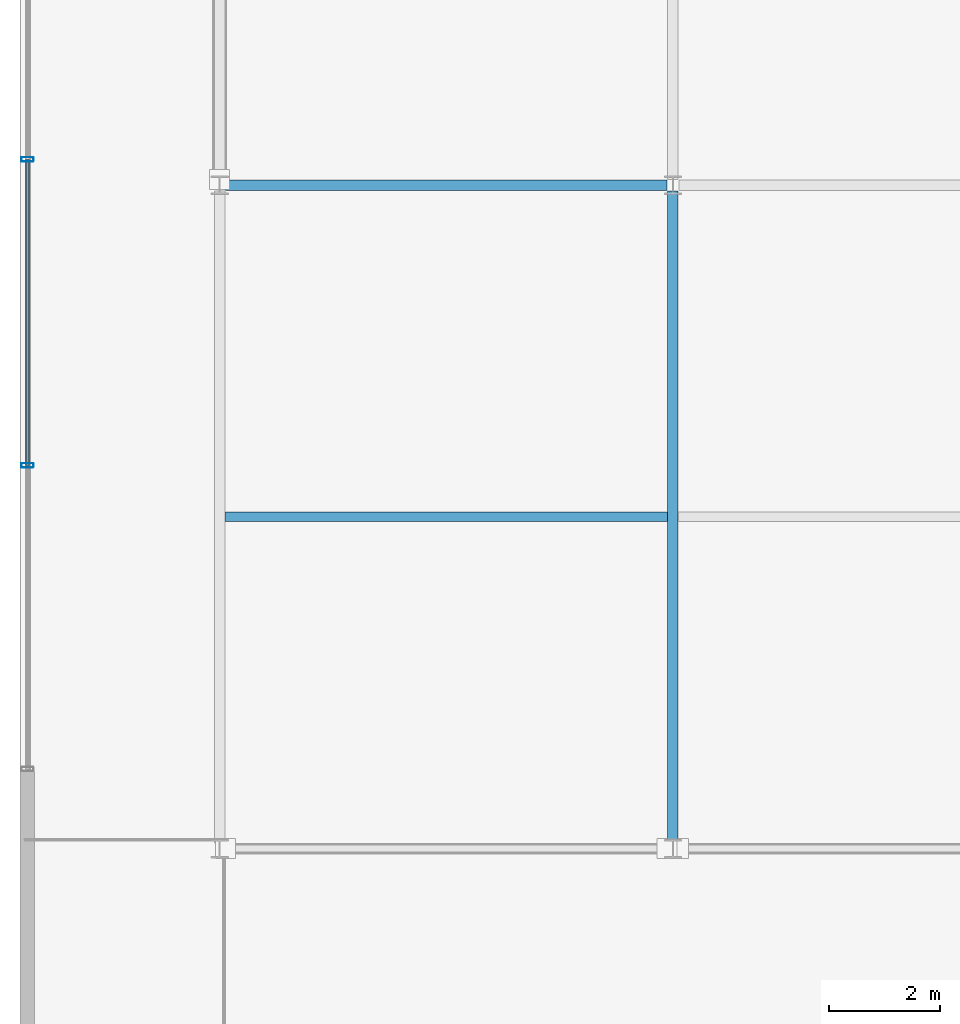
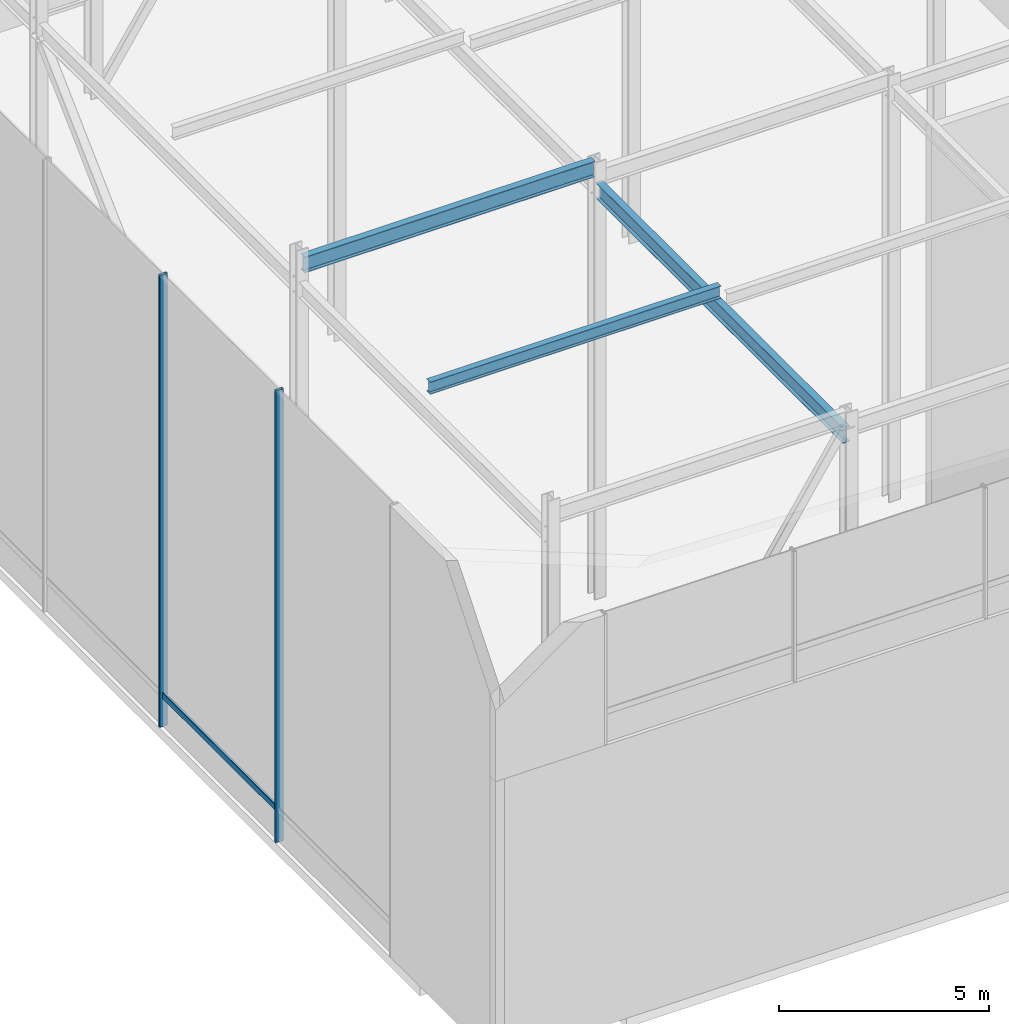
# One storey, part 7 of 39: 3 beams, 3 members, 1 element without a shape of its own.
"""IFC4 building model written with IfcOpenShell, lengths in metres."""

from ifc_helpers import new_model, si_unit, direction, frame, origin, origin_2d, place, context, subcontext, project, spatial, hollow_rectangle, i_section, extrude, material, layer, layer_set, material_profile, profile_set, type_object, element, aggregate, save


model = new_model("IFC4")

# Units and contexts
model_context = context("Model", 3, precision=1e-05, world=origin(), true_north=direction((0.0, 1.0)))
body_context = subcontext(model_context, "Body", "Model", "MODEL_VIEW")
ifc_project = project(units=[si_unit("LENGTHUNIT", "METRE"), si_unit("AREAUNIT", "SQUARE_METRE"), si_unit("VOLUMEUNIT", "CUBIC_METRE"), si_unit("PLANEANGLEUNIT", "RADIAN"), si_unit("MASSUNIT", "GRAM", prefix="KILO")], contexts=[model_context])

# Site, building, storey
site_placement = place(None, origin())
site = spatial("IfcSite", under=ifc_project, at=site_placement, CompositionType="ELEMENT")
building_placement = place(site_placement, origin())
building = spatial("IfcBuilding", under=site, at=building_placement, Name="Korimba Cascade Residences", CompositionType="ELEMENT")
storey_placement = place(building_placement, frame((0.0, 0.0, 264.199951171875)))
storey = spatial("IfcBuildingStorey", under=building, at=storey_placement, Name="RF", CompositionType="ELEMENT", Elevation=264.199951171875)

# Beams
ifc_material_1 = material(Name="Steel S355", Category="steel")
ifc_material_profile_1 = material_profile(ifc_material_1, i_section(OverallWidth=0.172119140625, OverallDepth=0.35791015625, WebThickness=0.008056640625, FlangeThickness=0.012939453125, FilletRadius=0.01025390625, at=origin_2d()), Name="Steel S355")
ifc_profile_set_1 = profile_set([ifc_material_profile_1], Name="Steel S355")
beam_type_1 = type_object("IfcBeamType", Name="BM-STL-UB356", PredefinedType="JOIST", material=ifc_profile_set_1)
beam_1_placement = place(storey_placement, frame((59.89990234375, 61.199951171875, 12.53271484375), z_axis=(1.0, 0.0, 0.0), x_axis=(0.0, 1.0, 0.0)))
element("IfcBeam", 1, at=beam_1_placement, inside=storey, type_object=beam_type_1, Name="RF Crown Cap Joist W1.1", PredefinedType="JOIST", context=body_context, shape_type="SweptSolid", body=[
    extrude(i_section(OverallWidth=0.172119140625, OverallDepth=0.35791015625, WebThickness=0.008056640625, FlangeThickness=0.012939453125, FilletRadius=0.01025390625, at=origin_2d()), origin(), (0.0, 0.0, 1.0), 8.0),
])
ifc_material_profile_2 = material_profile(ifc_material_1, i_section(OverallWidth=0.19140625, OverallDepth=0.4599609375, WebThickness=0.010009765625, FlangeThickness=0.01611328125, FilletRadius=0.01025390625, at=origin_2d()), Name="Steel S355")
ifc_profile_set_2 = profile_set([ifc_material_profile_2], Name="Steel S355")
beam_type_2 = type_object("IfcBeamType", Name="BM-STL-UB457", PredefinedType="JOIST", material=ifc_profile_set_2)
beam_2_placement = place(storey_placement, frame((59.905029296875, 67.199951171875, 12.481689453125), z_axis=(1.0, 0.0, 0.0), x_axis=(0.0, 1.0, 0.0)))
element("IfcBeam", 2, at=beam_2_placement, inside=storey, type_object=beam_type_2, Name="RF Crown Cap Ring Beam W2.1", PredefinedType="JOIST", context=body_context, shape_type="SweptSolid", body=[
    extrude(i_section(OverallWidth=0.19140625, OverallDepth=0.4599609375, WebThickness=0.010009765625, FlangeThickness=0.01611328125, FilletRadius=0.01025390625, at=origin_2d()), origin(), (0.0, 0.0, 1.0), 7.989990234375),
])
beam_3_placement = place(storey_placement, frame((68.0, 55.304931640625, 11.86865234375), z_axis=(0.0, 1.0, 0.0), x_axis=(-1.0, 0.0, 0.0)))
element("IfcBeam", 3, at=beam_3_placement, inside=storey, type_object=beam_type_2, Name="RF Crown Cap Tie Beam W2.1", PredefinedType="JOIST", context=body_context, shape_type="SweptSolid", body=[
    extrude(i_section(OverallWidth=0.19140625, OverallDepth=0.4599609375, WebThickness=0.010009765625, FlangeThickness=0.01611328125, FilletRadius=0.01025390625, at=origin_2d()), origin(), (0.0, 0.0, 1.0), 11.7900390625),
])

# Curtain wall, members
ifc_material_2 = material(Name="Anodised Aluminium Curtain Wall Framing", Category="aluminium")
ifc_layer = layer(ifc_material_2, 0.179931640625)
ifc_layer_set = layer_set([ifc_layer], Name="Anodised Aluminium Curtain Wall Framing")
curtain_wall_type = type_object("IfcCurtainWallType", Name="CW-CRNW-SYS5", PredefinedType="NOTDEFINED", material=ifc_layer_set)
curtain_wall_placement = place(storey_placement, origin())
curtain_wall = element("IfcCurtainWall", 4, at=curtain_wall_placement, inside=storey, type_object=curtain_wall_type, Name="RF Curtain Wall CW-RF-CRN-W-1", PredefinedType="NOTDEFINED")
ifc_material_3 = material(Name="Anodised Aluminium Mullion", Category="aluminium")
ifc_material_profile_3 = material_profile(ifc_material_3, hollow_rectangle(XDim=0.080078125, YDim=0.219970703125, WallThickness=0.00634765625, InnerFilletRadius=0.00634765625, OuterFilletRadius=0.0126953125, at=origin_2d()), Name="Anodised Aluminium Mullion")
ifc_profile_set_3 = profile_set([ifc_material_profile_3], Name="Anodised Aluminium Mullion")
member_type_1 = type_object("IfcMemberType", Name="CWM-MUL-220", PredefinedType="MULLION", material=ifc_profile_set_3)
member_1_placement = place(storey_placement, frame((56.324951171875, 62.13330078125, 0.0), z_axis=(0.0, 0.0, 1.0), x_axis=(0.0, 1.0, 0.0)))
member_1 = element("IfcMember", 5, at=member_1_placement, type_object=member_type_1, Name="CW-RF-CRN-W-1 Mullion 2", PredefinedType="MULLION", context=body_context, shape_type="SweptSolid", body=[
    extrude(hollow_rectangle(XDim=0.080078125, YDim=0.219970703125, WallThickness=0.00634765625, InnerFilletRadius=0.00634765625, OuterFilletRadius=0.0126953125, at=origin_2d()), origin(), (0.0, 0.0, 1.0), 13.1455078125),
])
member_2_placement = place(storey_placement, frame((56.324951171875, 67.666748046875, 0.0), z_axis=(0.0, 0.0, 1.0), x_axis=(0.0, 1.0, 0.0)))
member_2 = element("IfcMember", 6, at=member_2_placement, type_object=member_type_1, Name="CW-RF-CRN-W-1 Mullion 3", PredefinedType="MULLION", context=body_context, shape_type="SweptSolid", body=[
    extrude(hollow_rectangle(XDim=0.080078125, YDim=0.219970703125, WallThickness=0.00634765625, InnerFilletRadius=0.00634765625, OuterFilletRadius=0.0126953125, at=origin_2d()), origin(), (0.0, 0.0, 1.0), 13.1455078125),
])
ifc_material_4 = material(Name="Anodised Aluminium Transom", Category="aluminium")
ifc_material_profile_4 = material_profile(ifc_material_4, hollow_rectangle(XDim=0.070068359375, YDim=0.179931640625, WallThickness=0.0048828125, InnerFilletRadius=0.0048828125, OuterFilletRadius=0.010009765625, at=origin_2d()), Name="Anodised Aluminium Transom")
ifc_profile_set_4 = profile_set([ifc_material_profile_4], Name="Anodised Aluminium Transom")
member_type_2 = type_object("IfcMemberType", Name="CWM-TRN-150", PredefinedType="USERDEFINED", material=ifc_profile_set_4)
member_3_placement = place(storey_placement, frame((56.324951171875, 62.13330078125, 0.900146484375), z_axis=(0.0, 1.0, 0.0), x_axis=(-1.0, 0.0, 0.0)))
member_3 = element("IfcMember", 7, at=member_3_placement, type_object=member_type_2, Name="CW-RF-CRN-W-1 Transom 2", ObjectType="TRANSOM", PredefinedType="USERDEFINED", context=body_context, shape_type="SweptSolid", body=[
    extrude(hollow_rectangle(XDim=0.070068359375, YDim=0.179931640625, WallThickness=0.0048828125, InnerFilletRadius=0.0048828125, OuterFilletRadius=0.010009765625, at=origin_2d()), origin(), (0.0, 0.0, 1.0), 5.533447265625),
])
aggregate(curtain_wall, [member_1, member_2, member_3])

save(model, "model.ifc")
